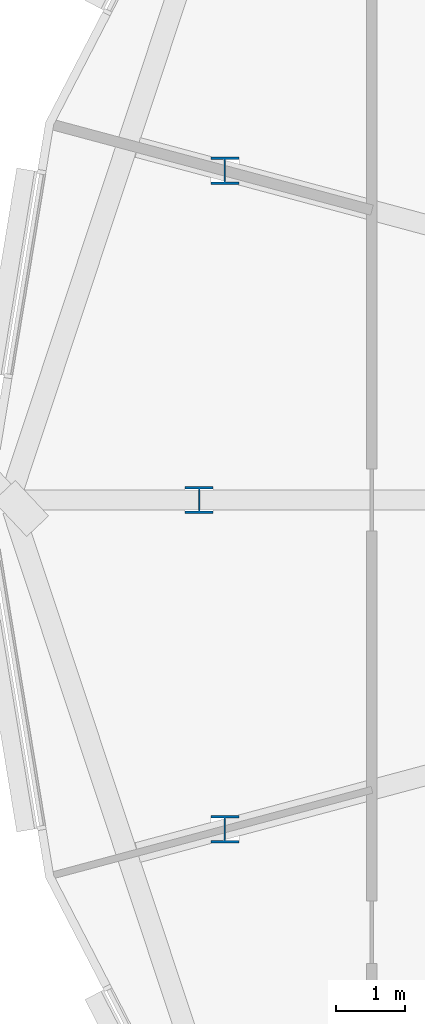
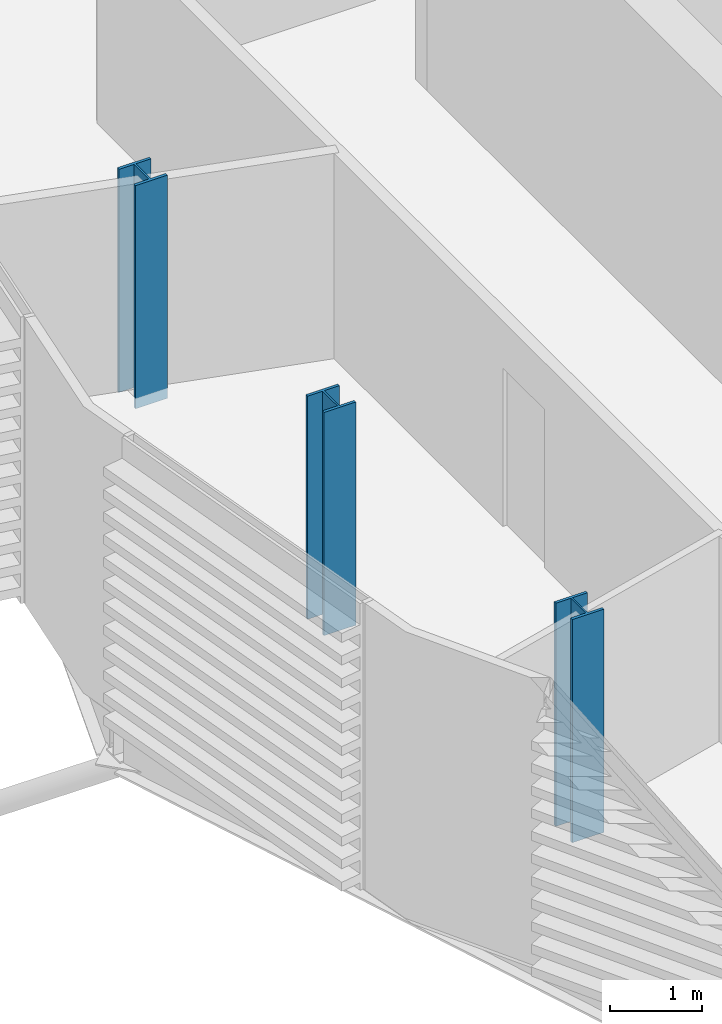
# One storey, part 1 of 41: 3 columns.
"""IFC4 building model written with IfcOpenShell, lengths in metres."""

from ifc_helpers import new_model, si_unit, direction, frame, origin, origin_2d, place, context, subcontext, project, spatial, i_section, extrude, material, material_profile, profile_set, type_object, element, save


model = new_model("IFC4")

# Units and contexts
model_context = context("Model", 3, precision=1e-05, world=origin(), true_north=direction((0.0, 1.0)))
body_context = subcontext(model_context, "Body", "Model", "MODEL_VIEW")
ifc_project = project(units=[si_unit("LENGTHUNIT", "METRE"), si_unit("AREAUNIT", "SQUARE_METRE"), si_unit("VOLUMEUNIT", "CUBIC_METRE"), si_unit("PLANEANGLEUNIT", "RADIAN"), si_unit("MASSUNIT", "GRAM", prefix="KILO")], contexts=[model_context])

# Site, building, storey
site_placement = place(None, origin())
site = spatial("IfcSite", under=ifc_project, at=site_placement, CompositionType="ELEMENT")
building_placement = place(site_placement, origin())
building = spatial("IfcBuilding", under=site, at=building_placement, Name="Rimbun Link Towers", CompositionType="ELEMENT")
storey_placement = place(building_placement, frame((0.0, 0.0, 214.300048828125)))
storey = spatial("IfcBuildingStorey", under=building, at=storey_placement, Name="L52", CompositionType="ELEMENT", Elevation=214.300048828125)

# Columns
ifc_material = material(Name="Steel S355J2", Category="steel")
ifc_material_profile = material_profile(ifc_material, i_section(OverallWidth=0.39892578125, OverallDepth=0.3935546875, WebThickness=0.022705078125, FlangeThickness=0.03662109375, at=origin_2d()), Name="UC 356x406x287")
ifc_profile_set = profile_set([ifc_material_profile], Name="Steel S355J2")
column_type = type_object("IfcColumnType", Name="UC 356x406x287", PredefinedType="COLUMN", material=ifc_profile_set)
for number, where, z_axis, x_axis, name in (
    (1, (-49.452880859375, 4.743408203125, -0.14013671875), (0.0, 0.0, 1.0), (1.0, 0.0, 0.0), "Crease post T1 L52 11"),
    (2, (-49.826416015625, 0.0, -0.14013671875), (0.0, 0.0, 1.0), (1.0, 0.0, 0.0), "Crease post T1 L52 12"),
    (3, (-49.452880859375, -4.743408203125, -0.14013671875), (0.0, 0.0, 1.0), (1.0, 0.0, 0.0), "Crease post T1 L52 13"),
):
    element("IfcColumn", number, at=place(storey_placement, frame(where, z_axis=z_axis, x_axis=x_axis)), inside=storey, type_object=column_type, Name=name, PredefinedType="COLUMN", context=body_context, shape_type="SweptSolid", body=[
        extrude(i_section(OverallWidth=0.39892578125, OverallDepth=0.3935546875, WebThickness=0.022705078125, FlangeThickness=0.03662109375, at=origin_2d()), origin(), (0.0, 0.0, 1.0), 2.95947265625),
    ])

save(model, "model.ifc")
